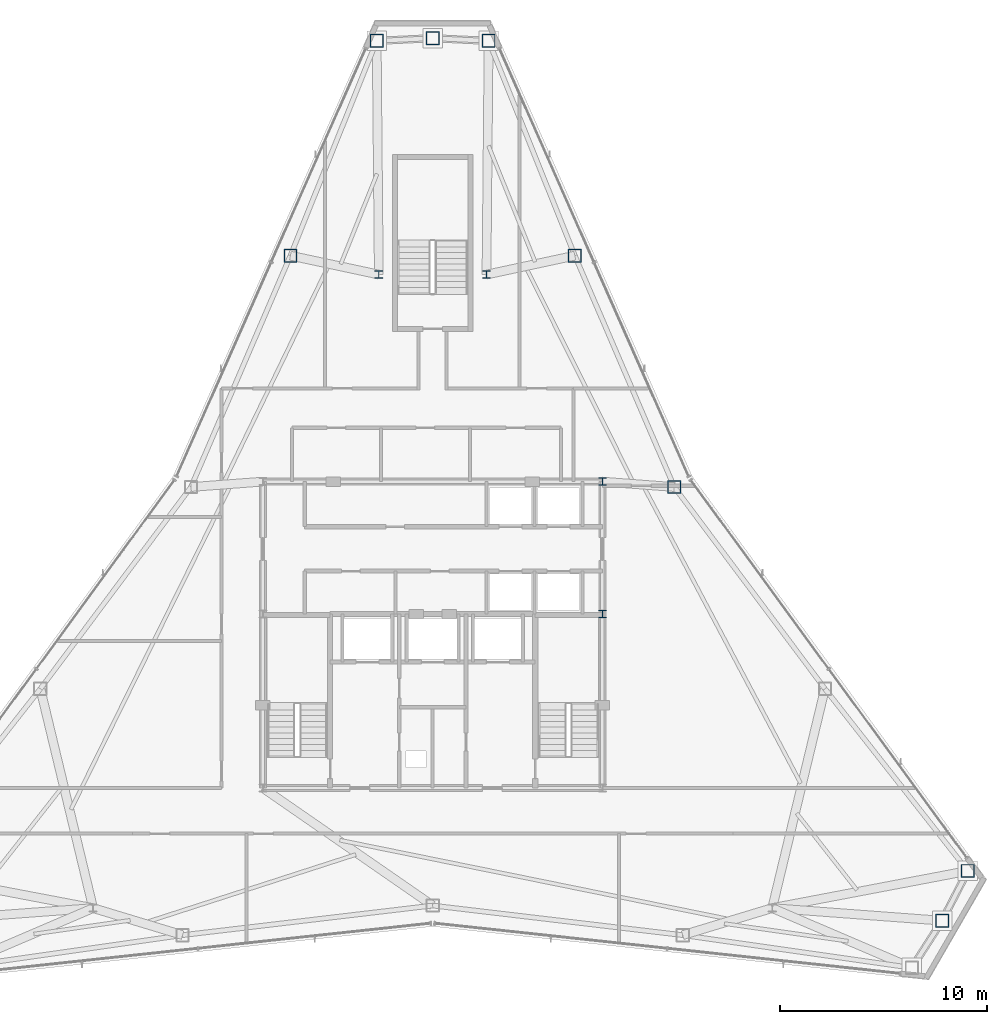
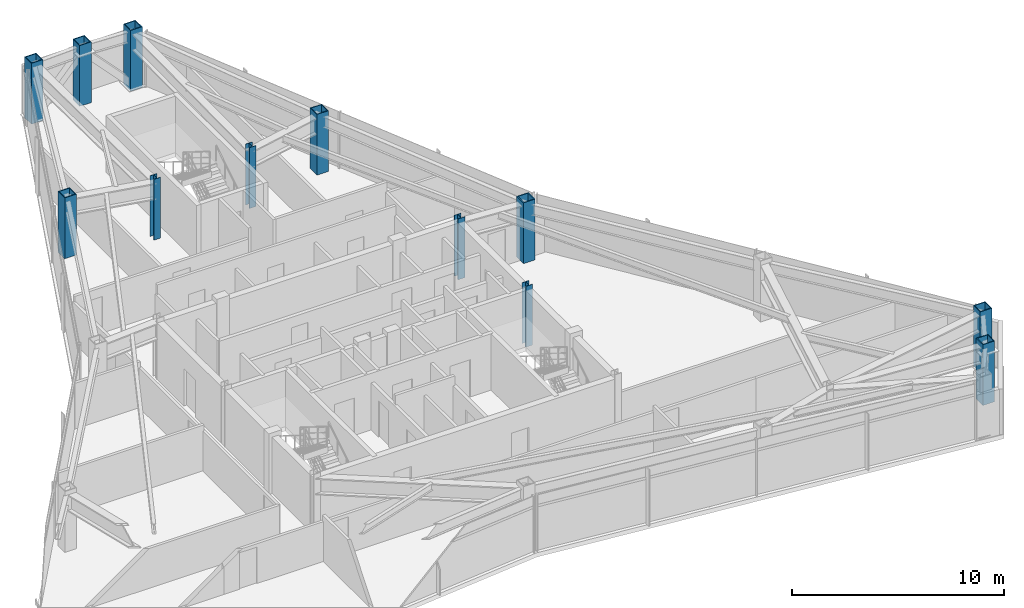
# One storey, part 2 of 12: 12 columns.
"""IFC4 building model written with IfcOpenShell, lengths in metres."""

from ifc_helpers import new_model, si_unit, direction, frame, origin, origin_2d, place, context, subcontext, project, spatial, hollow_rectangle, i_section, extrude, material, material_profile, profile_set, type_object, element, save


model = new_model("IFC4")

# Units and contexts
model_context = context("Model", 3, precision=1e-05, world=origin(), true_north=direction((0.0, 1.0)))
body_context = subcontext(model_context, "Body", "Model", "MODEL_VIEW")
ifc_project = project(units=[si_unit("LENGTHUNIT", "METRE"), si_unit("AREAUNIT", "SQUARE_METRE"), si_unit("VOLUMEUNIT", "CUBIC_METRE"), si_unit("PLANEANGLEUNIT", "RADIAN"), si_unit("MASSUNIT", "GRAM", prefix="KILO")], contexts=[model_context])

# Site, building, storey
site_placement = place(None, origin())
site = spatial("IfcSite", under=ifc_project, at=site_placement, CompositionType="ELEMENT")
building_placement = place(site_placement, origin())
building = spatial("IfcBuilding", under=site, at=building_placement, Name="Varakhsha Concourse Tower", CompositionType="ELEMENT")
storey_placement = place(building_placement, frame((0.0, 0.0, 269.0)))
storey = spatial("IfcBuildingStorey", under=building, at=storey_placement, Name="L76", CompositionType="ELEMENT", Elevation=269.0)

# Columns
ifc_material_1 = material(Name="Structural Steel ASTM A992 Grade 50", Category="steel")
ifc_material_profile_1 = material_profile(ifc_material_1, i_section(OverallWidth=0.3740234375, OverallDepth=0.3720703125, WebThickness=0.01611328125, FlangeThickness=0.02587890625, at=origin_2d()), Name="W14X132")
ifc_profile_set_1 = profile_set([ifc_material_profile_1], Name="Structural Steel ASTM A992 Grade 50")
column_type_1 = type_object("IfcColumnType", Name="CL-CORE-W14X132", PredefinedType="COLUMN", material=ifc_profile_set_1)
for number, where, z_axis, x_axis, name in (
    (1, (48.199951171875, 24.800048828125, 0.0), (0.0, 0.0, 1.0), (1.0, 0.0, 0.0), "L76 Core Column CC-ME"),
    (2, (48.199951171875, 31.199951171875, 0.0), (0.0, 0.0, 1.0), (1.0, 0.0, 0.0), "L76 Core Column CC-NE"),
    (3, (37.39990234375, 41.199951171875, 0.0), (0.0, 0.0, 1.0), (1.0, 0.0, 0.0), "L76 Core Column NS-W"),
    (4, (42.60009765625, 41.199951171875, 0.0), (0.0, 0.0, 1.0), (1.0, 0.0, 0.0), "L76 Core Column NS-E"),
):
    element("IfcColumn", number, at=place(storey_placement, frame(where, z_axis=z_axis, x_axis=x_axis)), inside=storey, type_object=column_type_1, Name=name, PredefinedType="COLUMN", context=body_context, shape_type="SweptSolid", body=[
        extrude(i_section(OverallWidth=0.3740234375, OverallDepth=0.3720703125, WebThickness=0.01611328125, FlangeThickness=0.02587890625, at=origin_2d()), origin(), (0.0, 0.0, 1.0), 3.5),
    ])
ifc_material_2 = material(Name="Structural Steel ASTM A572 Grade 50", Category="steel")
ifc_material_profile_2 = material_profile(ifc_material_2, hollow_rectangle(XDim=0.639892578125, YDim=0.639892578125, WallThickness=0.044921875, at=origin_2d()), Name="BOX 640x640x45")
ifc_profile_set_2 = profile_set([ifc_material_profile_2], Name="Structural Steel ASTM A572 Grade 50")
column_type_2 = type_object("IfcColumnType", Name="CL-TUBE-640", PredefinedType="COLUMN", material=ifc_profile_set_2)
for number, where, z_axis, x_axis, name in (
    (5, (42.70361328125, 52.489501953125, 0.0), (0.0, 0.0, 1.0), (1.0, 0.0, 0.0), "L76 Framed-Tube Column TC01"),
    (6, (40.0, 52.616943359375, 0.0), (0.0, 0.0, 1.0), (1.0, 0.0, 0.0), "L76 Framed-Tube Column TC02"),
    (7, (37.29638671875, 52.489501953125, 0.0), (0.0, 0.0, 1.0), (1.0, 0.0, 0.0), "L76 Framed-Tube Column TC03"),
    (8, (33.131103515625, 42.11474609375, 0.0), (0.0, 0.0, 1.0), (1.0, 0.0, 0.0), "L76 Framed-Tube Column TC04"),
    (9, (64.60986328125, 9.991455078125, 0.0), (0.0, 0.0, 1.0), (1.0, 0.0, 0.0), "L76 Framed-Tube Column TC14"),
    (10, (65.851318359375, 12.396728515625, 0.0), (0.0, 0.0, 1.0), (1.0, 0.0, 0.0), "L76 Framed-Tube Column TC15"),
    (11, (51.6708984375, 30.938232421875, 0.0), (0.0, 0.0, 1.0), (1.0, 0.0, 0.0), "L76 Framed-Tube Column TC17"),
    (12, (46.868896484375, 42.11474609375, 0.0), (0.0, 0.0, 1.0), (1.0, 0.0, 0.0), "L76 Framed-Tube Column TC18"),
):
    element("IfcColumn", number, at=place(storey_placement, frame(where, z_axis=z_axis, x_axis=x_axis)), inside=storey, type_object=column_type_2, Name=name, PredefinedType="COLUMN", context=body_context, shape_type="SweptSolid", body=[
        extrude(hollow_rectangle(XDim=0.639892578125, YDim=0.639892578125, WallThickness=0.044921875, at=origin_2d()), origin(), (0.0, 0.0, 1.0), 3.5),
    ])

save(model, "model.ifc")
